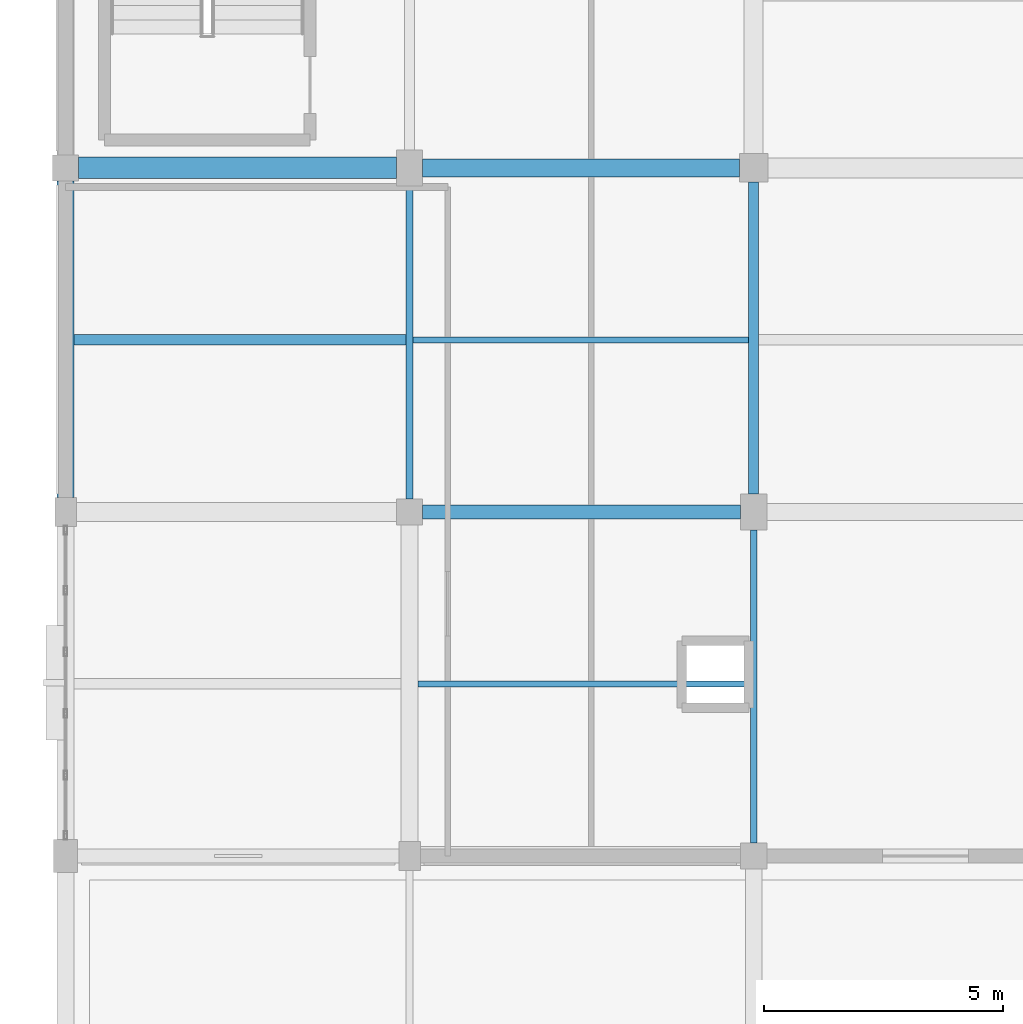
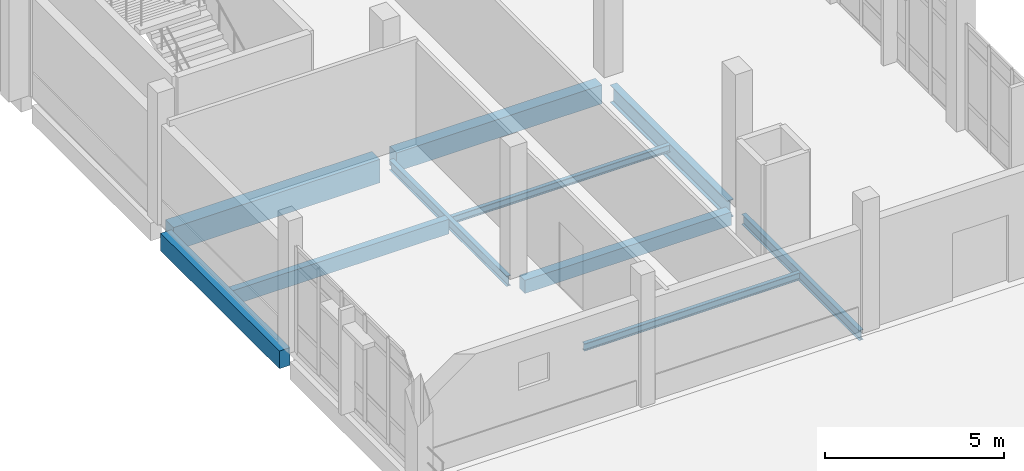
# One storey, part 7 of 57: 10 beams.
"""IFC4 building model written with IfcOpenShell, lengths in metres."""

from ifc_helpers import new_model, si_unit, direction, frame, origin, origin_2d, place, context, subcontext, project, spatial, rectangle, i_section, extrude, material, material_profile, profile_set, type_object, element, save


model = new_model("IFC4")

# Units and contexts
model_context = context("Model", 3, precision=1e-05, world=origin(), true_north=direction((0.0, 1.0)))
body_context = subcontext(model_context, "Body", "Model", "MODEL_VIEW")
ifc_project = project(units=[si_unit("LENGTHUNIT", "METRE"), si_unit("AREAUNIT", "SQUARE_METRE"), si_unit("VOLUMEUNIT", "CUBIC_METRE"), si_unit("PLANEANGLEUNIT", "RADIAN"), si_unit("MASSUNIT", "GRAM", prefix="KILO")], contexts=[model_context])

# Site, building, storey
site_placement = place(None, origin())
site = spatial("IfcSite", under=ifc_project, at=site_placement, CompositionType="ELEMENT")
building_placement = place(site_placement, origin())
building = spatial("IfcBuilding", under=site, at=building_placement, Name="Kalluvel Institute of Natural Sciences", CompositionType="ELEMENT")
storey_placement = place(building_placement, frame((0.0, 0.0, 23.39990234375)))
storey = spatial("IfcBuildingStorey", under=building, at=storey_placement, Name="L05", CompositionType="ELEMENT", Elevation=23.39990234375)

# Beams
ifc_material_1 = material(Name="Steel E350 Grade 350", Category="steel")
ifc_material_profile_1 = material_profile(ifc_material_1, i_section(OverallWidth=0.139892578125, OverallDepth=0.35009765625, WebThickness=0.008056640625, FlangeThickness=0.01416015625, FilletRadius=0.013916015625, at=origin_2d()), Name="ISMB 350")
ifc_profile_set_1 = profile_set([ifc_material_profile_1], Name="Steel E350 Grade 350")
beam_type_1 = type_object("IfcBeamType", Name="BM-ISMB350", PredefinedType="BEAM", material=ifc_profile_set_1)
for number, where, z_axis, x_axis, name in (
    (1, (21.199951171875, 35.875, -0.474853515625), (0.0, 1.0, 0.0), (-1.0, 0.0, 0.0), "L05 girder GIR-L05-NS-X212-Y356"),
    (2, (28.39990234375, 28.675048828125, -0.474853515625), (0.0, 1.0, 0.0), (-1.0, 0.0, 0.0), "L05 girder GIR-L05-NS-X284-Y284"),
):
    element("IfcBeam", number, at=place(storey_placement, frame(where, z_axis=z_axis, x_axis=x_axis)), inside=storey, type_object=beam_type_1, Name=name, PredefinedType="BEAM", context=body_context, shape_type="SweptSolid", body=[
        extrude(i_section(OverallWidth=0.139892578125, OverallDepth=0.35009765625, WebThickness=0.008056640625, FlangeThickness=0.01416015625, FilletRadius=0.013916015625, at=origin_2d()), origin(), (0.0, 0.0, 1.0), 6.550048828125),
    ])
ifc_material_profile_2 = material_profile(ifc_material_1, i_section(OverallWidth=0.2099609375, OverallDepth=0.60009765625, WebThickness=0.011962890625, FlangeThickness=0.020751953125, FilletRadius=0.02001953125, at=origin_2d()), Name="ISMB 600")
ifc_profile_set_2 = profile_set([ifc_material_profile_2], Name="Steel E350 Grade 350")
beam_type_2 = type_object("IfcBeamType", Name="BM-ISMB600", PredefinedType="BEAM", material=ifc_profile_set_2)
beam_1_placement = place(storey_placement, frame((28.39990234375, 35.97509765625, -0.599853515625), z_axis=(0.0, 1.0, 0.0), x_axis=(-1.0, 0.0, 0.0)))
element("IfcBeam", 3, at=beam_1_placement, inside=storey, type_object=beam_type_2, Name="L05 girder GIR-L05-NS-X284-Y356", PredefinedType="BEAM", context=body_context, shape_type="SweptSolid", body=[
    extrude(i_section(OverallWidth=0.2099609375, OverallDepth=0.60009765625, WebThickness=0.011962890625, FlangeThickness=0.020751953125, FilletRadius=0.02001953125, at=origin_2d()), origin(), (0.0, 0.0, 1.0), 6.52490234375),
])
ifc_material_2 = material(Name="Concrete M40", Category="concrete")
ifc_material_profile_3 = material_profile(ifc_material_2, rectangle(XDim=0.3798828125, YDim=0.639892578125, at=origin_2d()), Name="RCB 380x640")
ifc_profile_set_3 = profile_set([ifc_material_profile_3], Name="Concrete M40")
beam_type_3 = type_object("IfcBeamType", Name="BM-RC380x640", PredefinedType="BEAM", material=ifc_profile_set_3)
beam_2_placement = place(storey_placement, frame((21.47509765625, 42.800048828125, -0.619873046875), z_axis=(1.0, 0.0, 0.0), x_axis=(0.0, 1.0, 0.0)))
element("IfcBeam", 4, at=beam_2_placement, inside=storey, type_object=beam_type_3, Name="L05 girder GIR-L05-EW-X212-Y428", PredefinedType="BEAM", context=body_context, shape_type="SweptSolid", body=[
    extrude(rectangle(XDim=0.3798828125, YDim=0.639892578125, at=origin_2d()), origin(), (0.0, 0.0, 1.0), 6.625),
])
ifc_material_profile_4 = material_profile(ifc_material_2, rectangle(XDim=0.449951171875, YDim=0.800048828125, at=origin_2d()), Name="RCB 450x800")
ifc_profile_set_4 = profile_set([ifc_material_profile_4], Name="Concrete M40")
beam_type_4 = type_object("IfcBeamType", Name="BM-RC450x800", PredefinedType="BEAM", material=ifc_profile_set_4)
beam_3_placement = place(storey_placement, frame((14.27490234375, 42.800048828125, -0.699951171875), z_axis=(1.0, 0.0, 0.0), x_axis=(0.0, 1.0, 0.0)))
element("IfcBeam", 5, at=beam_3_placement, inside=storey, type_object=beam_type_4, Name="L05 girder GIR-L05-EW-X140-Y428", PredefinedType="BEAM", context=body_context, shape_type="SweptSolid", body=[
    extrude(rectangle(XDim=0.449951171875, YDim=0.800048828125, at=origin_2d()), origin(), (0.0, 0.0, 1.0), 6.650146484375),
])
ifc_material_profile_5 = material_profile(ifc_material_2, rectangle(XDim=0.300048828125, YDim=0.449951171875, at=origin_2d()), Name="RCB 300x450")
ifc_profile_set_5 = profile_set([ifc_material_profile_5], Name="Concrete M40")
beam_type_5 = type_object("IfcBeamType", Name="SP-RC300x450", PredefinedType="SPANDREL", material=ifc_profile_set_5)
beam_4_placement = place(storey_placement, frame((21.47509765625, 35.60009765625, -0.52490234375), z_axis=(1.0, 0.0, 0.0), x_axis=(0.0, 1.0, 0.0)))
element("IfcBeam", 6, at=beam_4_placement, inside=storey, type_object=beam_type_5, Name="L05 girder GIR-L05-EW-X212-Y356", PredefinedType="SPANDREL", context=body_context, shape_type="SweptSolid", body=[
    extrude(rectangle(XDim=0.300048828125, YDim=0.449951171875, at=origin_2d()), origin(), (0.0, 0.0, 1.0), 6.64990234375),
])
ifc_material_profile_6 = material_profile(ifc_material_2, rectangle(XDim=0.35009765625, YDim=0.60009765625, at=origin_2d()), Name="RCB 350x600")
ifc_profile_set_6 = profile_set([ifc_material_profile_6], Name="Concrete M40")
beam_type_6 = type_object("IfcBeamType", Name="SP-RC350x600", PredefinedType="SPANDREL", material=ifc_profile_set_6)
beam_5_placement = place(storey_placement, frame((14.0, 35.89990234375, -0.599853515625), z_axis=(0.0, 1.0, 0.0), x_axis=(-1.0, 0.0, 0.0)))
element("IfcBeam", 7, at=beam_5_placement, inside=storey, type_object=beam_type_6, Name="L05 girder GIR-L05-NS-X140-Y356", PredefinedType="SPANDREL", context=body_context, shape_type="SweptSolid", body=[
    extrude(rectangle(XDim=0.35009765625, YDim=0.60009765625, at=origin_2d()), origin(), (0.0, 0.0, 1.0), 6.625),
])
ifc_material_profile_7 = material_profile(ifc_material_2, rectangle(XDim=0.219970703125, YDim=0.5, at=origin_2d()), Name="WAF 220x500")
ifc_profile_set_7 = profile_set([ifc_material_profile_7], Name="Concrete M40")
beam_type_7 = type_object("IfcBeamType", Name="WJ-220x500", PredefinedType="JOIST", material=ifc_profile_set_7)
beam_6_placement = place(storey_placement, frame((14.175048828125, 39.199951171875, -0.5498046875), z_axis=(1.0, 0.0, 0.0), x_axis=(0.0, 1.0, 0.0)))
element("IfcBeam", 8, at=beam_6_placement, inside=storey, type_object=beam_type_7, Name="L05 floor rib RIB-L05-0736", PredefinedType="JOIST", context=body_context, shape_type="SweptSolid", body=[
    extrude(rectangle(XDim=0.219970703125, YDim=0.5, at=origin_2d()), origin(), (0.0, 0.0, 1.0), 6.954833984375),
])
ifc_material_profile_8 = material_profile(ifc_material_1, i_section(OverallWidth=0.125, OverallDepth=0.25, WebThickness=0.0068359375, FlangeThickness=0.012451171875, FilletRadius=0.012939453125, at=origin_2d()), Name="ISMB 250")
ifc_profile_set_8 = profile_set([ifc_material_profile_8], Name="Steel E350 Grade 350")
beam_type_8 = type_object("IfcBeamType", Name="WJ-ISMB250", PredefinedType="JOIST", material=ifc_profile_set_8)
beam_7_placement = place(storey_placement, frame((21.375, 32.0, -0.4248046875), z_axis=(1.0, 0.0, 0.0), x_axis=(0.0, 1.0, 0.0)))
element("IfcBeam", 9, at=beam_7_placement, inside=storey, type_object=beam_type_8, Name="L05 floor rib RIB-L05-0735", PredefinedType="JOIST", context=body_context, shape_type="SweptSolid", body=[
    extrude(i_section(OverallWidth=0.125, OverallDepth=0.25, WebThickness=0.0068359375, FlangeThickness=0.012451171875, FilletRadius=0.012939453125, at=origin_2d()), origin(), (0.0, 0.0, 1.0), 6.955078125),
])
beam_8_placement = place(storey_placement, frame((21.27001953125, 39.199951171875, -0.4248046875), z_axis=(1.0, 0.0, 0.0), x_axis=(0.0, 1.0, 0.0)))
element("IfcBeam", 10, at=beam_8_placement, inside=storey, type_object=beam_type_8, Name="L05 floor rib RIB-L05-0737", PredefinedType="JOIST", context=body_context, shape_type="SweptSolid", body=[
    extrude(i_section(OverallWidth=0.125, OverallDepth=0.25, WebThickness=0.0068359375, FlangeThickness=0.012451171875, FilletRadius=0.012939453125, at=origin_2d()), origin(), (0.0, 0.0, 1.0), 7.02490234375),
])

save(model, "model.ifc")
